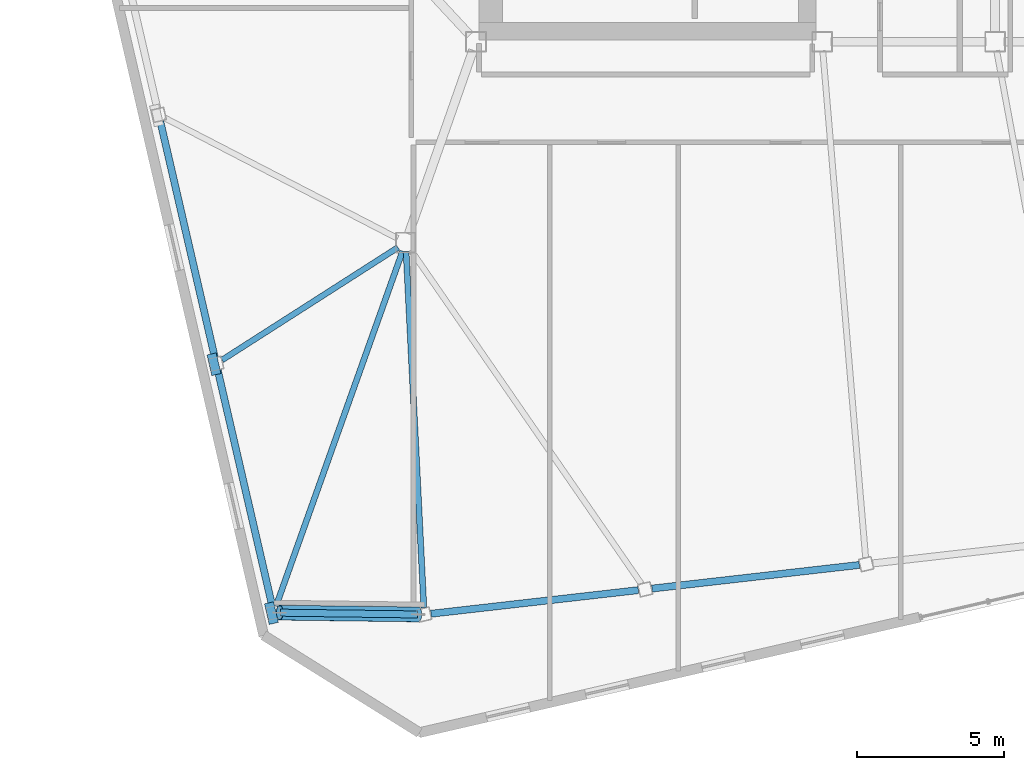
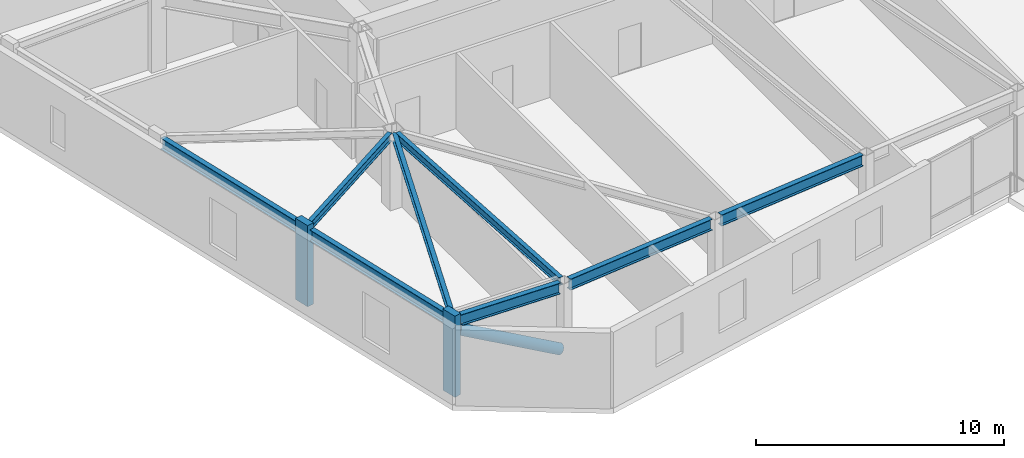
# One storey, part 4 of 24: 8 beams, 3 members.
"""IFC4 building model written with IfcOpenShell, lengths in metres."""

import ifcopenshell
import ifcopenshell.guid

model = None  # the IFC model being written
_history = None  # IfcOwnerHistory: only IFC2X3 demands one
_inside = {}  # id of a spatial element -> (the spatial element, [elements in it])
_under = {}  # id of a project, library or spatial element -> (it, [spatial elements below it])
_declared = {}  # id of a project -> (the project, [libraries it declares])
_typed = {}  # id of a type object -> (the type object, [elements of that type])
_made_of = {}  # id of a material, layer set ... -> (it, [elements and type objects made of it])


def new_model(schema):
    """Start an empty IFC model of exactly this schema.

    Asked for "IFC4X3", IfcOpenShell would pick the latest addendum, in which some entities
    have other attributes; the version numbers below select the first issue.
    IFC2X3 requires an IfcOwnerHistory on every rooted entity: one is made here for all.
    """
    global model, _history
    if schema == "IFC4X3":
        model = ifcopenshell.file(schema_version=(4, 3, 0, 0))
    else:
        model = ifcopenshell.file(schema=schema)
    _inside.clear()
    _under.clear()
    _declared.clear()
    _typed.clear()
    _made_of.clear()
    _history = None
    if model.schema == "IFC2X3":
        org = make("IfcOrganization", Name="unknown")
        user = make(
            "IfcPersonAndOrganization",
            ThePerson=make("IfcPerson", FamilyName="unknown"),
            TheOrganization=org,
        )
        app = make(
            "IfcApplication",
            ApplicationDeveloper=org,
            Version="unknown",
            ApplicationFullName="unknown",
            ApplicationIdentifier="unknown",
        )
        _history = make(
            "IfcOwnerHistory",
            OwningUser=user,
            OwningApplication=app,
            ChangeAction="ADDED",
            CreationDate=0,
        )
    return model


def make(cls, **values):
    """One entity of the class cls with the attributes given. An attribute that is None is left unset."""
    return model.create_entity(
        cls, **{name: value for name, value in values.items() if value is not None}
    )


def rooted(cls, **values):
    """An entity with a GlobalId (a new one), such as an element, a storey or a relation."""
    return make(cls, GlobalId=ifcopenshell.guid.new(), OwnerHistory=_history, **values)


def si_unit(unit_type, name, prefix=None):
    """IfcSIUnit, for example si_unit("LENGTHUNIT", "METRE", prefix="MILLI")."""
    return make("IfcSIUnit", UnitType=unit_type, Prefix=prefix, Name=name)


def assignment(units):
    """IfcUnitAssignment: the units of a project."""
    return None if units is None else make("IfcUnitAssignment", Units=units)


def point(xyz):
    """IfcCartesianPoint."""
    return None if xyz is None else make("IfcCartesianPoint", Coordinates=xyz)


def direction(xyz):
    """IfcDirection."""
    return None if xyz is None else make("IfcDirection", DirectionRatios=xyz)


def frame(location, z_axis=None, x_axis=None):
    """IfcAxis2Placement3D, a coordinate frame: its origin and axes. An axis left out is left unset."""
    return make(
        "IfcAxis2Placement3D",
        Location=point(location),
        Axis=direction(z_axis),
        RefDirection=direction(x_axis),
    )


def frame_2d(location, x_axis=None):
    """IfcAxis2Placement2D, a coordinate frame in the plane: its origin and x axis."""
    return make(
        "IfcAxis2Placement2D", Location=point(location), RefDirection=direction(x_axis)
    )


def origin():
    """The frame at (0, 0, 0) with its axes left unset."""
    return frame((0.0, 0.0, 0.0))


def origin_2d():
    """The frame at (0, 0) in the plane with its x axis left unset."""
    return frame_2d((0.0, 0.0))


def place(relative_to, where):
    """IfcLocalPlacement: puts the frame where relative to a parent placement (None: the world)."""
    return make(
        "IfcLocalPlacement", PlacementRelTo=relative_to, RelativePlacement=where
    )


def context(
    kind, dimensions, precision=None, world=None, true_north=None, identifier=None
):
    """IfcGeometricRepresentationContext, for example the 3D "Model" context."""
    return make(
        "IfcGeometricRepresentationContext",
        ContextIdentifier=identifier,
        ContextType=kind,
        CoordinateSpaceDimension=dimensions,
        Precision=precision,
        WorldCoordinateSystem=world,
        TrueNorth=true_north,
    )


def subcontext(parent, identifier, kind, view, scale=None):
    """IfcGeometricRepresentationSubContext, for example "Body" below "Model"."""
    return make(
        "IfcGeometricRepresentationSubContext",
        ContextIdentifier=identifier,
        ContextType=kind,
        ParentContext=parent,
        TargetScale=scale,
        TargetView=view,
    )


def project(units=None, contexts=None):
    """IfcProject with its units and contexts."""
    return rooted(
        "IfcProject",
        Name="project",
        RepresentationContexts=contexts,
        UnitsInContext=assignment(units),
    )


def spatial(cls, under=None, at=None, **own):
    """A site, building, storey or space (cls), placed at a placement, below another one or the project."""
    s = rooted(cls, ObjectPlacement=at, **own)
    if under is not None:
        _under.setdefault(under.id(), (under, []))[1].append(s)
    return s


def profile(cls, at=None, kind="AREA", **sizes):
    """A parametric profile (cls). Its sizes go by their IFC names, for example OverallWidth=200.0."""
    return make(cls, ProfileType=kind, Position=at, **sizes)


def rectangle(**sizes):
    """IfcRectangleProfileDef."""
    return profile("IfcRectangleProfileDef", **sizes)


def hollow_circle(**sizes):
    """IfcCircleHollowProfileDef."""
    return profile("IfcCircleHollowProfileDef", **sizes)


def i_section(**sizes):
    """IfcIShapeProfileDef."""
    return profile("IfcIShapeProfileDef", **sizes)


def extrude(swept, where, along, depth):
    """IfcExtrudedAreaSolid: the profile swept, set in the frame where, extruded along a direction by depth."""
    return make(
        "IfcExtrudedAreaSolid",
        SweptArea=swept,
        Position=where,
        ExtrudedDirection=direction(along),
        Depth=depth,
    )


def shape(context_of_items, identifier, shape_type, items):
    """IfcShapeRepresentation: the items that make up one representation, for example the "Body"."""
    return make(
        "IfcShapeRepresentation",
        ContextOfItems=context_of_items,
        RepresentationIdentifier=identifier,
        RepresentationType=shape_type,
        Items=items,
    )


def material(Name=None, Category=None):
    """IfcMaterial."""
    return make("IfcMaterial", Name=Name, Category=Category)


def material_profile(
    of_material, cross_section, Name=None, Category=None, Priority=None
):
    """IfcMaterialProfile: a cross section and its material."""
    return make(
        "IfcMaterialProfile",
        Name=Name,
        Material=of_material,
        Profile=cross_section,
        Priority=Priority,
        Category=Category,
    )


def profile_set(profiles, Name=None, composite=None):
    """IfcMaterialProfileSet."""
    return make(
        "IfcMaterialProfileSet",
        Name=Name,
        MaterialProfiles=profiles,
        CompositeProfile=composite,
    )


def made_of(thing, what):
    """Note that an element or type object is made of a material, layer set ...; save() writes the relation."""
    if what is not None:
        _made_of.setdefault(what.id(), (what, []))[1].append(thing)
    return thing


def type_object(cls, material=None, **own):
    """A type object (cls), such as IfcWallType, which elements share."""
    return made_of(rooted(cls, **own), material)


def element(
    cls,
    number,
    at=None,
    inside=None,
    cuts=None,
    type_object=None,
    material=None,
    context=None,
    identifier="Body",
    shape_type=None,
    held_by="IfcProductDefinitionShape",
    body=None,
    shapes=None,
    **own,
):
    """One element of the class cls, such as IfcWall. Its Tag is "e" and its number.

    at: its placement. inside: the storey or other place that contains it. cuts: it is an
    opening in that element (IfcRelVoidsElement). A single representation is given by context,
    identifier, shape_type and body (its items); several are given by shapes. held_by: the class
    of the entity that holds the representations. save() writes the other relations.
    """
    e = rooted(cls, Tag="e%d" % number, ObjectPlacement=at, **own)
    if body is not None:
        shapes = [shape(context, identifier, shape_type, body)]
    if shapes is not None:
        e.Representation = make(held_by, Representations=shapes)
    if inside is not None:
        _inside.setdefault(inside.id(), (inside, []))[1].append(e)
    if cuts is not None:
        rooted(
            "IfcRelVoidsElement", RelatingBuildingElement=cuts, RelatedOpeningElement=e
        )
    if type_object is not None:
        _typed.setdefault(type_object.id(), (type_object, []))[1].append(e)
    return made_of(e, material)


def aggregate(whole, parts):
    """IfcRelAggregates: a whole, such as a stair, and the parts it consists of."""
    return rooted("IfcRelAggregates", RelatingObject=whole, RelatedObjects=parts)


def save(model, path):
    """Write the relations noted so far, then the file.

    IfcRelAggregates (storeys below a building ...), IfcRelContainedInSpatialStructure (elements
    in a storey), IfcRelDefinesByType, IfcRelAssociatesMaterial and IfcRelDeclares: one each for
    every whole, place, type object, material and project.
    """
    for whole, parts in _under.values():
        aggregate(whole, parts)
    for where, things in _inside.values():
        rooted(
            "IfcRelContainedInSpatialStructure",
            RelatedElements=things,
            RelatingStructure=where,
        )
    for kind, things in _typed.values():
        rooted("IfcRelDefinesByType", RelatedObjects=things, RelatingType=kind)
    for what, things in _made_of.values():
        rooted("IfcRelAssociatesMaterial", RelatedObjects=things, RelatingMaterial=what)
    for by, libraries in _declared.values():
        rooted("IfcRelDeclares", RelatingContext=by, RelatedDefinitions=libraries)
    model.write(path)


model = new_model("IFC4")

# Units and contexts
model_context = context("Model", 3, precision=1e-05, world=origin(), true_north=direction((0.0, 1.0)))
body_context = subcontext(model_context, "Body", "Model", "MODEL_VIEW")
ifc_project = project(units=[si_unit("LENGTHUNIT", "METRE"), si_unit("AREAUNIT", "SQUARE_METRE"), si_unit("VOLUMEUNIT", "CUBIC_METRE"), si_unit("PLANEANGLEUNIT", "RADIAN"), si_unit("MASSUNIT", "GRAM", prefix="KILO")], contexts=[model_context])

# Site, building, storey
site_placement = place(None, origin())
site = spatial("IfcSite", under=ifc_project, at=site_placement, CompositionType="ELEMENT")
building_placement = place(site_placement, origin())
building = spatial("IfcBuilding", under=site, at=building_placement, Name="Tavrogorsk Clinical Tower", CompositionType="ELEMENT")
storey_placement = place(building_placement, frame((0.0, 0.0, 325.0)))
storey = spatial("IfcBuildingStorey", under=building, at=storey_placement, Name="L76", CompositionType="ELEMENT", Elevation=325.0)

# Member
ifc_material_1 = material(Name="Structural steel S440", Category="steel")
ifc_material_profile_1 = material_profile(ifc_material_1, hollow_circle(Radius=0.25390625, WallThickness=0.02001953125, at=origin_2d()), Name="CHS-508x20")
ifc_profile_set_1 = profile_set([ifc_material_profile_1], Name="Structural steel S440")
member_type_1 = type_object("IfcMemberType", Name="ExoBrace_CHS508", PredefinedType="BRACE", material=ifc_profile_set_1)
member_placement = place(storey_placement, frame((-24.07080078125, -25.883056640625, 0.412841796875), z_axis=(-0.874894907887, 0.011394569062, 0.484178752062), x_axis=(-0.013022824449, -0.999915199426, 0.0)))
element("IfcMember", 1, at=member_placement, inside=storey, type_object=member_type_1, Name="L76 Corner Exoskeleton Brace W5-S1", PredefinedType="BRACE", context=body_context, shape_type="SweptSolid", body=[
    extrude(hollow_circle(Radius=0.25390625, WallThickness=0.02001953125, at=origin_2d()), origin(), (0.0, 0.0, 1.0), 5.3994140625),
])

# Beams
ifc_material_2 = material(Name="Structural steel S355", Category="steel")
ifc_material_profile_2 = material_profile(ifc_material_2, i_section(OverallWidth=0.199951171875, OverallDepth=0.39990234375, WebThickness=0.010498046875, FlangeThickness=0.01611328125, at=origin_2d()), Name="B-400x200x10.5x16")
ifc_profile_set_2 = profile_set([ifc_material_profile_2], Name="Structural steel S355")
beam_type_1 = type_object("IfcBeamType", Name="FloorBeam_B400", PredefinedType="BEAM", material=ifc_profile_set_2)
beam_1_placement = place(storey_placement, frame((-24.484619140625, -13.509521484375, 3.5400390625), z_axis=(0.049857498916, -0.998756341558, 0.0), x_axis=(0.998756341558, 0.049857498916, 0.0)))
element("IfcBeam", 2, at=beam_1_placement, inside=storey, type_object=beam_type_1, Name="L76 Radial Floor Beam S1", PredefinedType="BEAM", context=body_context, shape_type="SweptSolid", body=[
    extrude(i_section(OverallWidth=0.199951171875, OverallDepth=0.39990234375, WebThickness=0.010498046875, FlangeThickness=0.01611328125, at=origin_2d()), origin(), (0.0, 0.0, 1.0), 12.15869140625),
])
beam_2_placement = place(storey_placement, frame((-24.76123046875, -13.3671875, 3.5400390625), z_axis=(-0.842332392078, -0.538958385459, 0.0), x_axis=(0.538958385459, -0.842332392078, 0.0)))
element("IfcBeam", 3, at=beam_2_placement, inside=storey, type_object=beam_type_1, Name="L76 Radial Floor Beam W4", PredefinedType="BEAM", context=body_context, shape_type="SweptSolid", body=[
    extrude(i_section(OverallWidth=0.199951171875, OverallDepth=0.39990234375, WebThickness=0.010498046875, FlangeThickness=0.01611328125, at=origin_2d()), origin(), (0.0, 0.0, 1.0), 7.123779296875),
])
beam_3_placement = place(storey_placement, frame((-24.60400390625, -13.491943359375, 3.5400390625), z_axis=(-0.335800921645, -0.941932981173, 0.0), x_axis=(0.941932981173, -0.335800921645, 0.0)))
element("IfcBeam", 4, at=beam_3_placement, inside=storey, type_object=beam_type_1, Name="L76 Radial Floor Beam W5", PredefinedType="BEAM", context=body_context, shape_type="SweptSolid", body=[
    extrude(i_section(OverallWidth=0.199951171875, OverallDepth=0.39990234375, WebThickness=0.010498046875, FlangeThickness=0.01611328125, at=origin_2d()), origin(), (0.0, 0.0, 1.0), 12.85400390625),
])

# Members
ifc_material_3 = material(Name="Precast concrete B45 with limestone cladding", Category="masonry")
ifc_material_profile_3 = material_profile(ifc_material_3, rectangle(XDim=0.320068359375, YDim=0.719970703125, at=origin_2d()), Name="LIMESTONE-FIN-320x720")
ifc_profile_set_3 = profile_set([ifc_material_profile_3], Name="Precast concrete B45 with limestone cladding")
member_type_2 = type_object("IfcMemberType", Name="LimestonePleatFin_320x720", PredefinedType="USERDEFINED", material=ifc_profile_set_3)
for number, where, z_axis, x_axis, name in (
    (5, (-31.035888671875, -17.35009765625, 0.0), (0.0, 0.0, 1.0), (0.974370064785, 0.224951054344, 0.0), "L76 W Pleated Stone Fin 3"),
    (6, (-29.07666015625, -25.8369140625, 0.0), (0.0, 0.0, 1.0), (0.974370064785, 0.224951054344, 0.0), "L76 W Pleated Stone Fin 4"),
):
    element("IfcMember", number, at=place(storey_placement, frame(where, z_axis=z_axis, x_axis=x_axis)), inside=storey, type_object=member_type_2, Name=name, ObjectType="FIN", PredefinedType="USERDEFINED", context=body_context, shape_type="SweptSolid", body=[
        extrude(rectangle(XDim=0.320068359375, YDim=0.719970703125, at=origin_2d()), origin(), (0.0, 0.0, 1.0), 4.0),
    ])

# Beams
ifc_material_4 = material(Name="Structural steel S390", Category="steel")
ifc_material_profile_4 = material_profile(ifc_material_4, i_section(OverallWidth=0.239990234375, OverallDepth=0.550048828125, WebThickness=0.013916015625, FlangeThickness=0.02197265625, at=origin_2d()), Name="B-550x240x14x22")
ifc_profile_set_4 = profile_set([ifc_material_profile_4], Name="Structural steel S390")
beam_type_2 = type_object("IfcBeamType", Name="SpandrelBeam_B550", PredefinedType="SPANDREL", material=ifc_profile_set_4)
for number, where, z_axis, x_axis, name in (
    (7, (-23.635498046875, -25.859375, 3.465087890625), (0.993572073137, 0.113201305126, 0.0), (-0.113201305126, 0.993572073137, 0.0), "L76 Perimeter Spandrel S1-S2"),
    (8, (-16.098876953125, -25.000732421875, 3.465087890625), (0.993572073137, 0.113201305126, 0.0), (-0.113201305126, 0.993572073137, 0.0), "L76 Perimeter Spandrel S2-S3"),
):
    element("IfcBeam", number, at=place(storey_placement, frame(where, z_axis=z_axis, x_axis=x_axis)), inside=storey, type_object=beam_type_2, Name=name, PredefinedType="SPANDREL", context=body_context, shape_type="SweptSolid", body=[
        extrude(i_section(OverallWidth=0.239990234375, OverallDepth=0.550048828125, WebThickness=0.013916015625, FlangeThickness=0.02197265625, at=origin_2d()), origin(), (0.0, 0.0, 1.0), 7.119140625),
    ])
beam_4_placement = place(storey_placement, frame((-32.864990234375, -9.072509765625, 3.465087890625), z_axis=(0.224978460613, -0.974363737144, 0.0), x_axis=(0.974363737144, 0.224978460613, 0.0)))
element("IfcBeam", 9, at=beam_4_placement, inside=storey, type_object=beam_type_2, Name="L76 Perimeter Spandrel W3-W4", PredefinedType="SPANDREL", context=body_context, shape_type="SweptSolid", body=[
    extrude(i_section(OverallWidth=0.239990234375, OverallDepth=0.550048828125, WebThickness=0.013916015625, FlangeThickness=0.02197265625, at=origin_2d()), origin(), (0.0, 0.0, 1.0), 8.244140625),
])
beam_5_placement = place(storey_placement, frame((-30.905517578125, -17.559326171875, 3.465087890625), z_axis=(0.224950345141, -0.974370228517, 0.0), x_axis=(0.974370228517, 0.224950345141, 0.0)))
element("IfcBeam", 10, at=beam_5_placement, inside=storey, type_object=beam_type_2, Name="L76 Perimeter Spandrel W4-W5", PredefinedType="SPANDREL", context=body_context, shape_type="SweptSolid", body=[
    extrude(i_section(OverallWidth=0.239990234375, OverallDepth=0.550048828125, WebThickness=0.013916015625, FlangeThickness=0.02197265625, at=origin_2d()), origin(), (0.0, 0.0, 1.0), 8.243896484375),
])
beam_6_placement = place(storey_placement, frame((-28.765625, -25.822021484375, 3.465087890625), z_axis=(0.999915131489, -0.013028039754, 0.0), x_axis=(0.013028039754, 0.999915131489, 0.0)))
element("IfcBeam", 11, at=beam_6_placement, inside=storey, type_object=beam_type_2, Name="L76 Perimeter Spandrel W5-S1", PredefinedType="SPANDREL", context=body_context, shape_type="SweptSolid", body=[
    extrude(i_section(OverallWidth=0.239990234375, OverallDepth=0.550048828125, WebThickness=0.013916015625, FlangeThickness=0.02197265625, at=origin_2d()), origin(), (0.0, 0.0, 1.0), 4.666259765625),
])

save(model, "model.ifc")
